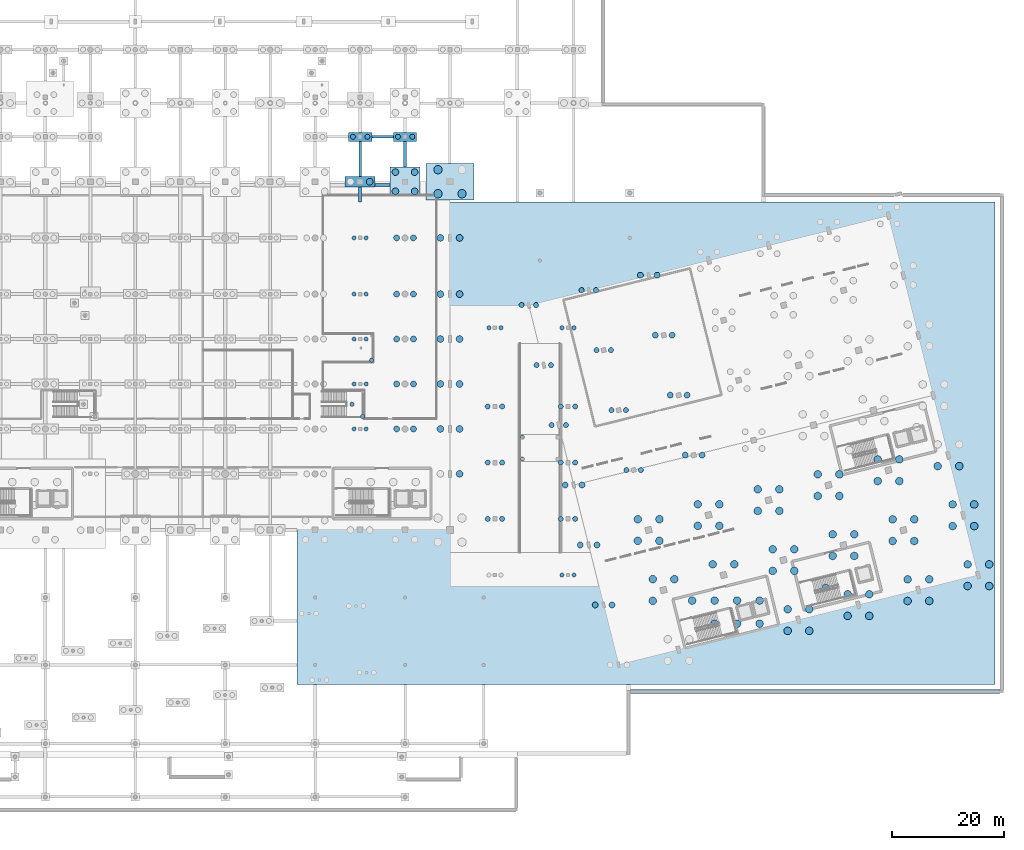
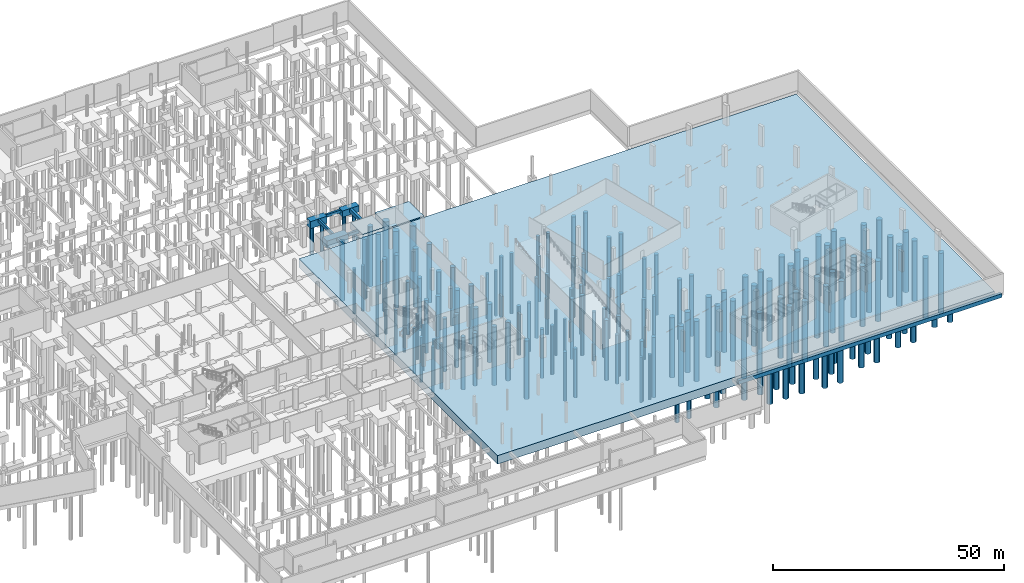
# One storey, part 10 of 65: 161 piles, 12 footings.
"""IFC4 building model written with IfcOpenShell, lengths in metres."""

from ifc_helpers import new_model, si_unit, direction, frame, origin, origin_2d, place, context, subcontext, project, spatial, rectangle, circle, extrude, material, material_profile, profile_set, type_object, element, save


model = new_model("IFC4")

# Units and contexts
model_context = context("Model", 3, precision=1e-05, world=origin(), true_north=direction((0.0, 1.0)))
body_context = subcontext(model_context, "Body", "Model", "MODEL_VIEW")
ifc_project = project(units=[si_unit("LENGTHUNIT", "METRE"), si_unit("AREAUNIT", "SQUARE_METRE"), si_unit("VOLUMEUNIT", "CUBIC_METRE"), si_unit("PLANEANGLEUNIT", "RADIAN"), si_unit("MASSUNIT", "GRAM", prefix="KILO")], contexts=[model_context])

# Site, building, storey
site_placement = place(None, origin())
site = spatial("IfcSite", under=ifc_project, at=site_placement, CompositionType="ELEMENT")
building_placement = place(site_placement, origin())
building = spatial("IfcBuilding", under=site, at=building_placement, Name="Khorjan Park Terminus", CompositionType="ELEMENT")
storey_placement = place(building_placement, frame((0.0, 0.0, -5.4)))
storey = spatial("IfcBuildingStorey", under=building, at=storey_placement, Name="B1", CompositionType="ELEMENT", Elevation=-5.4)

# Footings
ifc_material = material(Name="Concrete C40/50", Category="concrete")
ifc_material_profile_1 = material_profile(ifc_material, rectangle(XDim=0.45, YDim=0.75, at=origin_2d()), Name="RC 450x750")
ifc_profile_set_1 = profile_set([ifc_material_profile_1], Name="Concrete C40/50")
footing_type_1 = type_object("IfcFootingType", Name="FTG-GB-450x750", PredefinedType="FOOTING_BEAM", material=ifc_profile_set_1)
footing_1_placement = place(storey_placement, frame((122.082, 96.0, -0.375), z_axis=(1.0, 0.0, 0.0), x_axis=(0.0, 1.0, 0.0)))
element("IfcFooting", 1, at=footing_1_placement, inside=storey, type_object=footing_type_1, Name="Reinforced concrete ground tie beam FB-07 (89)", PredefinedType="FOOTING_BEAM", context=body_context, shape_type="SweptSolid", body=[
    extrude(rectangle(XDim=0.45, YDim=0.75, at=origin_2d()), origin(), (0.0, 0.0, 1.0), 3.836),
])
footing_2_placement = place(storey_placement, frame((120.0, 88.95, -0.375), z_axis=(0.0, 1.0, 0.0), x_axis=(-1.0, 0.0, 0.0)))
element("IfcFooting", 2, at=footing_2_placement, inside=storey, type_object=footing_type_1, Name="Reinforced concrete ground tie beam FB-07 (347)", PredefinedType="FOOTING_BEAM", context=body_context, shape_type="SweptSolid", body=[
    extrude(rectangle(XDim=0.45, YDim=0.75, at=origin_2d()), origin(), (0.0, 0.0, 1.0), 6.25),
])
ifc_material_profile_2 = material_profile(ifc_material, rectangle(XDim=0.5, YDim=0.8, at=origin_2d()), Name="RC 500x800")
ifc_profile_set_2 = profile_set([ifc_material_profile_2], Name="Concrete C40/50")
footing_type_2 = type_object("IfcFootingType", Name="FTG-GB-500x800", PredefinedType="FOOTING_BEAM", material=ifc_profile_set_2)
footing_3_placement = place(storey_placement, frame((122.66, 87.4, -0.4), z_axis=(1.0, 0.0, 0.0), x_axis=(0.0, 1.0, 0.0)))
element("IfcFooting", 3, at=footing_3_placement, inside=storey, type_object=footing_type_2, Name="Reinforced concrete ground tie beam FB-08 (85)", PredefinedType="FOOTING_BEAM", context=body_context, shape_type="SweptSolid", body=[
    extrude(rectangle(XDim=0.5, YDim=0.8, at=origin_2d()), origin(), (0.0, 0.0, 1.0), 2.68),
])
footing_4_placement = place(storey_placement, frame((120.0, 84.377, -0.4), z_axis=(0.0, 1.0, 0.0), x_axis=(-1.0, 0.0, 0.0)))
element("IfcFooting", 4, at=footing_4_placement, inside=storey, type_object=footing_type_2, Name="Reinforced concrete ground tie beam FB-08 (346)", PredefinedType="FOOTING_BEAM", context=body_context, shape_type="SweptSolid", body=[
    extrude(rectangle(XDim=0.5, YDim=0.8, at=origin_2d()), origin(), (0.0, 0.0, 1.0), 2.673),
])
ifc_material_profile_3 = material_profile(ifc_material, rectangle(XDim=0.6, YDim=0.9, at=origin_2d()), Name="RC 600x900")
ifc_profile_set_3 = profile_set([ifc_material_profile_3], Name="Concrete C40/50")
footing_type_3 = type_object("IfcFootingType", Name="FTG-GB-600x900", PredefinedType="FOOTING_BEAM", material=ifc_profile_set_3)
footing_5_placement = place(storey_placement, frame((128.0, 90.66, -0.45), z_axis=(0.0, 1.0, 0.0), x_axis=(-1.0, 0.0, 0.0)))
element("IfcFooting", 5, at=footing_5_placement, inside=storey, type_object=footing_type_3, Name="Reinforced concrete ground tie beam FB-09 (354)", PredefinedType="FOOTING_BEAM", context=body_context, shape_type="SweptSolid", body=[
    extrude(rectangle(XDim=0.6, YDim=0.9, at=origin_2d()), origin(), (0.0, 0.0, 1.0), 4.54),
])
footing_type_4 = type_object("IfcFootingType", Name="FTG-PC-07", PredefinedType="PILE_CAP", material=ifc_material)
footing_6_placement = place(storey_placement, frame((128.0005, 96.0, -1.66), z_axis=(0.0, 0.0, 1.0), x_axis=(1.0, 0.0, 0.0)))
element("IfcFooting", 6, at=footing_6_placement, inside=storey, type_object=footing_type_4, Name="Reinforced concrete pile cap PC-07 (241)", PredefinedType="PILE_CAP", context=body_context, shape_type="SweptSolid", body=[
    extrude(rectangle(XDim=4.165, YDim=1.6, at=origin_2d()), origin(), (0.0, 0.0, 1.0), 1.66),
])
footing_type_5 = type_object("IfcFootingType", Name="FTG-PC-11", PredefinedType="PILE_CAP", material=ifc_material)
footing_7_placement = place(storey_placement, frame((120.0, 96.0, -1.84), z_axis=(0.0, 0.0, 1.0), x_axis=(1.0, 0.0, 0.0)))
element("IfcFooting", 7, at=footing_7_placement, inside=storey, type_object=footing_type_5, Name="Reinforced concrete pile cap PC-11 (234)", PredefinedType="PILE_CAP", context=body_context, shape_type="SweptSolid", body=[
    extrude(rectangle(XDim=4.164, YDim=1.6, at=origin_2d()), origin(), (0.0, 0.0, 1.0), 1.84),
])
footing_type_6 = type_object("IfcFootingType", Name="FTG-PC-49", PredefinedType="PILE_CAP", material=ifc_material)
footing_8_placement = place(storey_placement, frame((120.0, 88.0, -2.02), z_axis=(0.0, 0.0, 1.0), x_axis=(1.0, 0.0, 0.0)))
element("IfcFooting", 8, at=footing_8_placement, inside=storey, type_object=footing_type_6, Name="Reinforced concrete pile cap PC-49 (232)", PredefinedType="PILE_CAP", context=body_context, shape_type="SweptSolid", body=[
    extrude(rectangle(XDim=5.32, YDim=1.9, at=origin_2d()), origin(), (0.0, 0.0, 1.0), 2.02),
])
footing_type_7 = type_object("IfcFootingType", Name="FTG-PC-50", PredefinedType="PILE_CAP", material=ifc_material)
footing_9_placement = place(storey_placement, frame((170.8985, 41.4425, -2.24), z_axis=(0.0, 0.0, 1.0), x_axis=(1.0, 0.0, 0.0)))
element("IfcFooting", 9, at=footing_9_placement, inside=storey, type_object=footing_type_7, Name="Reinforced concrete pile cap PC-50 (214)", PredefinedType="PILE_CAP", context=body_context, shape_type="SweptSolid", body=[
    extrude(rectangle(XDim=124.181, YDim=85.869, at=origin_2d()), origin(), (0.0, 0.0, 1.0), 2.24),
])
footing_type_8 = type_object("IfcFootingType", Name="FTG-PC-55", PredefinedType="PILE_CAP", material=ifc_material)
footing_10_placement = place(storey_placement, frame((136.0, 88.0, -2.14), z_axis=(0.0, 0.0, 1.0), x_axis=(1.0, 0.0, 0.0)))
element("IfcFooting", 10, at=footing_10_placement, inside=storey, type_object=footing_type_8, Name="Reinforced concrete pile cap PC-55 (249)", PredefinedType="PILE_CAP", context=body_context, shape_type="SweptSolid", body=[
    extrude(rectangle(XDim=8.546, YDim=6.474, at=origin_2d()), origin(), (0.0, 0.0, 1.0), 2.14),
])
footing_type_9 = type_object("IfcFootingType", Name="FTG-PC-57", PredefinedType="PILE_CAP", material=ifc_material)
footing_11_placement = place(storey_placement, frame((128.0, 88.0, -1.84), z_axis=(0.0, 0.0, 1.0), x_axis=(1.0, 0.0, 0.0)))
element("IfcFooting", 11, at=footing_11_placement, inside=storey, type_object=footing_type_9, Name="Reinforced concrete pile cap PC-57 (239)", PredefinedType="PILE_CAP", context=body_context, shape_type="SweptSolid", body=[
    extrude(rectangle(XDim=5.32, YDim=5.32, at=origin_2d()), origin(), (0.0, 0.0, 1.0), 1.84),
])
ifc_material_profile_4 = material_profile(ifc_material, rectangle(XDim=0.7, YDim=1.0, at=origin_2d()), Name="RC 700x1000")
ifc_profile_set_4 = profile_set([ifc_material_profile_4], Name="Concrete C40/50")
footing_type_10 = type_object("IfcFootingType", Name="FTG-SF-700x1000", PredefinedType="STRIP_FOOTING", material=ifc_profile_set_4)
footing_12_placement = place(storey_placement, frame((233.896, -2.752, -0.5), z_axis=(-1.0, 0.0, 0.0), x_axis=(0.0, -1.0, 0.0)))
element("IfcFooting", 12, at=footing_12_placement, inside=storey, type_object=footing_type_10, Name="Reinforced concrete wall strip footing SF-07 (44)", PredefinedType="STRIP_FOOTING", context=body_context, shape_type="SweptSolid", body=[
    extrude(rectangle(XDim=0.7, YDim=1.0, at=origin_2d()), origin(), (0.0, 0.0, 1.0), 65.783),
])

# Piles
ifc_material_profile_5 = material_profile(ifc_material, circle(Radius=0.525, at=origin_2d()), Name="BORED D1050")
ifc_profile_set_5 = profile_set([ifc_material_profile_5], Name="Concrete C40/50")
pile_type_1 = type_object("IfcPileType", Name="PL-D1050", PredefinedType="BORED", material=ifc_profile_set_5)
for number, where, z_axis, x_axis, name in (
    (13, (161.8425, 12.673, -2.14), (0.0, 0.0, -1.0), (1.0, 0.0, 0.0), "Bored rock-socketed pile PL-105 (615)"),
    (14, (164.8355, 12.673, -2.14), (0.0, 0.0, -1.0), (1.0, 0.0, 0.0), "Bored rock-socketed pile PL-105 (616)"),
    (15, (159.1815, 23.346, -2.14), (0.0, 0.0, -1.0), (1.0, 0.0, 0.0), "Bored rock-socketed pile PL-105 (617)"),
    (16, (162.1745, 23.346, -2.14), (0.0, 0.0, -1.0), (1.0, 0.0, 0.0), "Bored rock-socketed pile PL-105 (618)"),
    (17, (156.5205, 34.02, -2.14), (0.0, 0.0, -1.0), (1.0, 0.0, 0.0), "Bored rock-socketed pile PL-105 (619)"),
    (18, (159.5135, 34.02, -2.14), (0.0, 0.0, -1.0), (1.0, 0.0, 0.0), "Bored rock-socketed pile PL-105 (620)"),
    (19, (177.8665, 39.342, -2.14), (0.0, 0.0, -1.0), (1.0, 0.0, 0.0), "Bored rock-socketed pile PL-105 (621)"),
    (20, (180.8595, 39.342, -2.14), (0.0, 0.0, -1.0), (1.0, 0.0, 0.0), "Bored rock-socketed pile PL-105 (622)"),
    (21, (175.2055, 50.015, -2.14), (0.0, 0.0, -1.0), (1.0, 0.0, 0.0), "Bored rock-socketed pile PL-105 (627)"),
    (22, (178.1985, 50.015, -2.14), (0.0, 0.0, -1.0), (1.0, 0.0, 0.0), "Bored rock-socketed pile PL-105 (628)"),
    (23, (172.5445, 60.688, -2.14), (0.0, 0.0, -1.0), (1.0, 0.0, 0.0), "Bored rock-socketed pile PL-105 (633)"),
    (24, (175.5375, 60.688, -2.14), (0.0, 0.0, -1.0), (1.0, 0.0, 0.0), "Bored rock-socketed pile PL-105 (634)"),
):
    element("IfcPile", number, at=place(storey_placement, frame(where, z_axis=z_axis, x_axis=x_axis)), inside=storey, type_object=pile_type_1, Name=name, PredefinedType="BORED", context=body_context, shape_type="SweptSolid", body=[
        extrude(circle(Radius=0.525, at=origin_2d()), origin(), (0.0, 0.0, 1.0), 15.96),
    ])
for number, where, z_axis, x_axis, name in (
    (25, (126.5035, 44.0, -2.14), (0.0, 0.0, -1.0), (1.0, 0.0, 0.0), "Bored rock-socketed pile PL-105 (647)"),
    (26, (129.4965, 44.0, -2.14), (0.0, 0.0, -1.0), (1.0, 0.0, 0.0), "Bored rock-socketed pile PL-105 (648)"),
    (27, (126.5035, 52.0, -2.14), (0.0, 0.0, -1.0), (1.0, 0.0, 0.0), "Bored rock-socketed pile PL-105 (649)"),
    (28, (129.4965, 52.0, -2.14), (0.0, 0.0, -1.0), (1.0, 0.0, 0.0), "Bored rock-socketed pile PL-105 (650)"),
    (29, (126.5035, 60.0, -2.14), (0.0, 0.0, -1.0), (1.0, 0.0, 0.0), "Bored rock-socketed pile PL-105 (651)"),
    (30, (129.4965, 60.0, -2.14), (0.0, 0.0, -1.0), (1.0, 0.0, 0.0), "Bored rock-socketed pile PL-105 (652)"),
    (31, (126.5035, 68.0, -2.14), (0.0, 0.0, -1.0), (1.0, 0.0, 0.0), "Bored rock-socketed pile PL-105 (653)"),
    (32, (129.4965, 68.0, -2.14), (0.0, 0.0, -1.0), (1.0, 0.0, 0.0), "Bored rock-socketed pile PL-105 (654)"),
):
    element("IfcPile", number, at=place(storey_placement, frame(where, z_axis=z_axis, x_axis=x_axis)), inside=storey, type_object=pile_type_1, Name=name, PredefinedType="BORED", context=body_context, shape_type="SweptSolid", body=[
        extrude(circle(Radius=0.525, at=origin_2d()), origin(), (0.0, 0.0, 1.0), 13.96),
    ])
for number, where, z_axis, x_axis, name in (
    (33, (169.8835, 71.362, -2.14), (0.0, 0.0, -1.0), (1.0, 0.0, 0.0), "Bored rock-socketed pile PL-105 (655)"),
    (34, (172.8765, 71.362, -2.14), (0.0, 0.0, -1.0), (1.0, 0.0, 0.0), "Bored rock-socketed pile PL-105 (656)"),
):
    element("IfcPile", number, at=place(storey_placement, frame(where, z_axis=z_axis, x_axis=x_axis)), inside=storey, type_object=pile_type_1, Name=name, PredefinedType="BORED", context=body_context, shape_type="SweptSolid", body=[
        extrude(circle(Radius=0.525, at=origin_2d()), origin(), (0.0, 0.0, 1.0), 15.96),
    ])
for number, where, z_axis, x_axis, name in (
    (35, (126.5035, 78.0, -2.14), (0.0, 0.0, -1.0), (1.0, 0.0, 0.0), "Bored rock-socketed pile PL-105 (667)"),
    (36, (129.4965, 78.0, -2.14), (0.0, 0.0, -1.0), (1.0, 0.0, 0.0), "Bored rock-socketed pile PL-105 (668)"),
):
    element("IfcPile", number, at=place(storey_placement, frame(where, z_axis=z_axis, x_axis=x_axis)), inside=storey, type_object=pile_type_1, Name=name, PredefinedType="BORED", context=body_context, shape_type="SweptSolid", body=[
        extrude(circle(Radius=0.525, at=origin_2d()), origin(), (0.0, 0.0, 1.0), 13.96),
    ])
ifc_material_profile_6 = material_profile(ifc_material, circle(Radius=0.6, at=origin_2d()), Name="BORED D1200")
ifc_profile_set_6 = profile_set([ifc_material_profile_6], Name="Concrete C40/50")
pile_type_2 = type_object("IfcPileType", Name="PL-D1200", PredefinedType="BORED", material=ifc_profile_set_6)
for number, where, z_axis, x_axis, name in (
    (37, (137.71, 36.0, -2.14), (0.0, 0.0, -1.0), (1.0, 0.0, 0.0), "Bored rock-socketed pile PL-120 (588)"),
    (38, (134.29, 44.0, -2.14), (0.0, 0.0, -1.0), (1.0, 0.0, 0.0), "Bored rock-socketed pile PL-120 (597)"),
    (39, (137.71, 44.0, -2.14), (0.0, 0.0, -1.0), (1.0, 0.0, 0.0), "Bored rock-socketed pile PL-120 (598)"),
    (40, (134.29, 52.0, -2.14), (0.0, 0.0, -1.0), (1.0, 0.0, 0.0), "Bored rock-socketed pile PL-120 (599)"),
    (41, (137.71, 52.0, -2.14), (0.0, 0.0, -1.0), (1.0, 0.0, 0.0), "Bored rock-socketed pile PL-120 (600)"),
    (42, (134.29, 60.0, -2.14), (0.0, 0.0, -1.0), (1.0, 0.0, 0.0), "Bored rock-socketed pile PL-120 (601)"),
    (43, (137.71, 60.0, -2.14), (0.0, 0.0, -1.0), (1.0, 0.0, 0.0), "Bored rock-socketed pile PL-120 (602)"),
    (44, (134.29, 68.0, -2.14), (0.0, 0.0, -1.0), (1.0, 0.0, 0.0), "Bored rock-socketed pile PL-120 (603)"),
    (45, (137.71, 68.0, -2.14), (0.0, 0.0, -1.0), (1.0, 0.0, 0.0), "Bored rock-socketed pile PL-120 (604)"),
    (46, (134.29, 78.0, -2.14), (0.0, 0.0, -1.0), (1.0, 0.0, 0.0), "Bored rock-socketed pile PL-120 (605)"),
    (47, (137.71, 78.0, -2.14), (0.0, 0.0, -1.0), (1.0, 0.0, 0.0), "Bored rock-socketed pile PL-120 (606)"),
):
    element("IfcPile", number, at=place(storey_placement, frame(where, z_axis=z_axis, x_axis=x_axis)), inside=storey, type_object=pile_type_2, Name=name, PredefinedType="BORED", context=body_context, shape_type="SweptSolid", body=[
        extrude(circle(Radius=0.6, at=origin_2d()), origin(), (0.0, 0.0, 1.0), 15.46),
    ])
pile_1_placement = place(storey_placement, frame((121.71, 88.0, -1.92), z_axis=(0.0, 0.0, -1.0), x_axis=(1.0, 0.0, 0.0)))
element("IfcPile", 48, at=pile_1_placement, inside=storey, type_object=pile_type_2, Name="Bored rock-socketed pile PL-120 (774)", PredefinedType="BORED", context=body_context, shape_type="SweptSolid", body=[
    extrude(circle(Radius=0.6, at=origin_2d()), origin(), (0.0, 0.0, 1.0), 15.68),
])
for number, where, z_axis, x_axis, name in (
    (49, (126.29, 86.29, -1.74), (0.0, 0.0, -1.0), (1.0, 0.0, 0.0), "Bored rock-socketed pile PL-120 (793)"),
    (50, (126.29, 89.71, -1.74), (0.0, 0.0, -1.0), (1.0, 0.0, 0.0), "Bored rock-socketed pile PL-120 (794)"),
    (51, (129.71, 86.29, -1.74), (0.0, 0.0, -1.0), (1.0, 0.0, 0.0), "Bored rock-socketed pile PL-120 (795)"),
    (52, (129.71, 89.71, -1.74), (0.0, 0.0, -1.0), (1.0, 0.0, 0.0), "Bored rock-socketed pile PL-120 (796)"),
):
    element("IfcPile", number, at=place(storey_placement, frame(where, z_axis=z_axis, x_axis=x_axis)), inside=storey, type_object=pile_type_2, Name=name, PredefinedType="BORED", context=body_context, shape_type="SweptSolid", body=[
        extrude(circle(Radius=0.6, at=origin_2d()), origin(), (0.0, 0.0, 1.0), 15.86),
    ])
ifc_material_profile_7 = material_profile(ifc_material, circle(Radius=0.675, at=origin_2d()), Name="BORED D1350")
ifc_profile_set_7 = profile_set([ifc_material_profile_7], Name="Concrete C40/50")
pile_type_3 = type_object("IfcPileType", Name="PL-D1350", PredefinedType="BORED", material=ifc_profile_set_7)
for number, where, z_axis, x_axis, name in (
    (53, (179.094, 13.448, -2.14), (0.0, 0.0, -1.0), (1.0, 0.0, 0.0), "Bored rock-socketed pile PL-135 (484)"),
    (54, (183.094, 9.348, -2.14), (0.0, 0.0, -1.0), (1.0, 0.0, 0.0), "Bored rock-socketed pile PL-135 (485)"),
    (55, (183.094, 13.448, -2.14), (0.0, 0.0, -1.0), (1.0, 0.0, 0.0), "Bored rock-socketed pile PL-135 (486)"),
    (56, (187.094, 9.348, -2.14), (0.0, 0.0, -1.0), (1.0, 0.0, 0.0), "Bored rock-socketed pile PL-135 (487)"),
    (57, (187.094, 13.448, -2.14), (0.0, 0.0, -1.0), (1.0, 0.0, 0.0), "Bored rock-socketed pile PL-135 (488)"),
    (58, (191.094, 9.348, -2.14), (0.0, 0.0, -1.0), (1.0, 0.0, 0.0), "Bored rock-socketed pile PL-135 (489)"),
    (59, (191.094, 13.448, -2.14), (0.0, 0.0, -1.0), (1.0, 0.0, 0.0), "Bored rock-socketed pile PL-135 (490)"),
):
    element("IfcPile", number, at=place(storey_placement, frame(where, z_axis=z_axis, x_axis=x_axis)), inside=storey, type_object=pile_type_3, Name=name, PredefinedType="BORED", context=body_context, shape_type="SweptSolid", body=[
        extrude(circle(Radius=0.675, at=origin_2d()), origin(), (0.0, 0.0, 1.0), 16.46),
    ])
for number, where, z_axis, x_axis, name in (
    (60, (172.088, 13.41, -2.14), (0.0, 0.0, -1.0), (1.0, 0.0, 0.0), "Bored rock-socketed pile PL-135 (491)"),
    (61, (172.088, 17.258, -2.14), (0.0, 0.0, -1.0), (1.0, 0.0, 0.0), "Bored rock-socketed pile PL-135 (492)"),
    (62, (175.936, 17.258, -2.14), (0.0, 0.0, -1.0), (1.0, 0.0, 0.0), "Bored rock-socketed pile PL-135 (493)"),
    (63, (182.761, 19.919, -2.14), (0.0, 0.0, -1.0), (1.0, 0.0, 0.0), "Bored rock-socketed pile PL-135 (494)"),
    (64, (186.609, 19.919, -2.14), (0.0, 0.0, -1.0), (1.0, 0.0, 0.0), "Bored rock-socketed pile PL-135 (495)"),
    (65, (196.096, 8.059, -2.14), (0.0, 0.0, -1.0), (1.0, 0.0, 0.0), "Bored rock-socketed pile PL-135 (496)"),
    (66, (196.096, 11.907, -2.14), (0.0, 0.0, -1.0), (1.0, 0.0, 0.0), "Bored rock-socketed pile PL-135 (497)"),
    (67, (199.944, 8.059, -2.14), (0.0, 0.0, -1.0), (1.0, 0.0, 0.0), "Bored rock-socketed pile PL-135 (498)"),
    (68, (199.944, 11.907, -2.14), (0.0, 0.0, -1.0), (1.0, 0.0, 0.0), "Bored rock-socketed pile PL-135 (499)"),
    (69, (193.435, 18.733, -2.14), (0.0, 0.0, -1.0), (1.0, 0.0, 0.0), "Bored rock-socketed pile PL-135 (500)"),
    (70, (193.435, 22.581, -2.14), (0.0, 0.0, -1.0), (1.0, 0.0, 0.0), "Bored rock-socketed pile PL-135 (501)"),
    (71, (197.283, 18.733, -2.14), (0.0, 0.0, -1.0), (1.0, 0.0, 0.0), "Bored rock-socketed pile PL-135 (502)"),
    (72, (197.283, 22.581, -2.14), (0.0, 0.0, -1.0), (1.0, 0.0, 0.0), "Bored rock-socketed pile PL-135 (503)"),
    (73, (169.427, 24.084, -2.14), (0.0, 0.0, -1.0), (1.0, 0.0, 0.0), "Bored rock-socketed pile PL-135 (504)"),
    (74, (169.427, 27.932, -2.14), (0.0, 0.0, -1.0), (1.0, 0.0, 0.0), "Bored rock-socketed pile PL-135 (505)"),
    (75, (173.275, 24.084, -2.14), (0.0, 0.0, -1.0), (1.0, 0.0, 0.0), "Bored rock-socketed pile PL-135 (506)"),
    (76, (173.275, 27.932, -2.14), (0.0, 0.0, -1.0), (1.0, 0.0, 0.0), "Bored rock-socketed pile PL-135 (507)"),
    (77, (180.1, 26.745, -2.14), (0.0, 0.0, -1.0), (1.0, 0.0, 0.0), "Bored rock-socketed pile PL-135 (508)"),
    (78, (180.1, 30.593, -2.14), (0.0, 0.0, -1.0), (1.0, 0.0, 0.0), "Bored rock-socketed pile PL-135 (509)"),
    (79, (183.948, 26.745, -2.14), (0.0, 0.0, -1.0), (1.0, 0.0, 0.0), "Bored rock-socketed pile PL-135 (510)"),
    (80, (183.948, 30.593, -2.14), (0.0, 0.0, -1.0), (1.0, 0.0, 0.0), "Bored rock-socketed pile PL-135 (511)"),
    (81, (190.773, 29.406, -2.14), (0.0, 0.0, -1.0), (1.0, 0.0, 0.0), "Bored rock-socketed pile PL-135 (512)"),
    (82, (190.773, 33.254, -2.14), (0.0, 0.0, -1.0), (1.0, 0.0, 0.0), "Bored rock-socketed pile PL-135 (513)"),
    (83, (194.621, 29.406, -2.14), (0.0, 0.0, -1.0), (1.0, 0.0, 0.0), "Bored rock-socketed pile PL-135 (514)"),
    (84, (194.621, 33.254, -2.14), (0.0, 0.0, -1.0), (1.0, 0.0, 0.0), "Bored rock-socketed pile PL-135 (515)"),
    (85, (201.447, 32.067, -2.14), (0.0, 0.0, -1.0), (1.0, 0.0, 0.0), "Bored rock-socketed pile PL-135 (516)"),
    (86, (201.447, 35.915, -2.14), (0.0, 0.0, -1.0), (1.0, 0.0, 0.0), "Bored rock-socketed pile PL-135 (517)"),
    (87, (205.295, 32.067, -2.14), (0.0, 0.0, -1.0), (1.0, 0.0, 0.0), "Bored rock-socketed pile PL-135 (518)"),
    (88, (205.295, 35.915, -2.14), (0.0, 0.0, -1.0), (1.0, 0.0, 0.0), "Bored rock-socketed pile PL-135 (519)"),
    (89, (206.769, 10.721, -2.14), (0.0, 0.0, -1.0), (1.0, 0.0, 0.0), "Bored rock-socketed pile PL-135 (520)"),
    (90, (206.769, 14.569, -2.14), (0.0, 0.0, -1.0), (1.0, 0.0, 0.0), "Bored rock-socketed pile PL-135 (521)"),
    (91, (210.617, 10.721, -2.14), (0.0, 0.0, -1.0), (1.0, 0.0, 0.0), "Bored rock-socketed pile PL-135 (522)"),
    (92, (210.617, 14.569, -2.14), (0.0, 0.0, -1.0), (1.0, 0.0, 0.0), "Bored rock-socketed pile PL-135 (523)"),
    (93, (204.108, 21.394, -2.14), (0.0, 0.0, -1.0), (1.0, 0.0, 0.0), "Bored rock-socketed pile PL-135 (524)"),
    (94, (204.108, 25.242, -2.14), (0.0, 0.0, -1.0), (1.0, 0.0, 0.0), "Bored rock-socketed pile PL-135 (525)"),
    (95, (207.956, 21.394, -2.14), (0.0, 0.0, -1.0), (1.0, 0.0, 0.0), "Bored rock-socketed pile PL-135 (526)"),
    (96, (207.956, 25.242, -2.14), (0.0, 0.0, -1.0), (1.0, 0.0, 0.0), "Bored rock-socketed pile PL-135 (527)"),
    (97, (212.12, 34.728, -2.14), (0.0, 0.0, -1.0), (1.0, 0.0, 0.0), "Bored rock-socketed pile PL-135 (532)"),
    (98, (212.12, 38.576, -2.14), (0.0, 0.0, -1.0), (1.0, 0.0, 0.0), "Bored rock-socketed pile PL-135 (533)"),
    (99, (215.968, 34.728, -2.14), (0.0, 0.0, -1.0), (1.0, 0.0, 0.0), "Bored rock-socketed pile PL-135 (534)"),
    (100, (215.968, 38.576, -2.14), (0.0, 0.0, -1.0), (1.0, 0.0, 0.0), "Bored rock-socketed pile PL-135 (535)"),
    (101, (217.442, 13.382, -2.14), (0.0, 0.0, -1.0), (1.0, 0.0, 0.0), "Bored rock-socketed pile PL-135 (536)"),
    (102, (217.442, 17.23, -2.14), (0.0, 0.0, -1.0), (1.0, 0.0, 0.0), "Bored rock-socketed pile PL-135 (537)"),
    (103, (221.29, 13.382, -2.14), (0.0, 0.0, -1.0), (1.0, 0.0, 0.0), "Bored rock-socketed pile PL-135 (538)"),
    (104, (221.29, 17.23, -2.14), (0.0, 0.0, -1.0), (1.0, 0.0, 0.0), "Bored rock-socketed pile PL-135 (539)"),
    (105, (214.781, 24.055, -2.14), (0.0, 0.0, -1.0), (1.0, 0.0, 0.0), "Bored rock-socketed pile PL-135 (540)"),
    (106, (214.781, 27.903, -2.14), (0.0, 0.0, -1.0), (1.0, 0.0, 0.0), "Bored rock-socketed pile PL-135 (541)"),
    (107, (218.629, 24.055, -2.14), (0.0, 0.0, -1.0), (1.0, 0.0, 0.0), "Bored rock-socketed pile PL-135 (542)"),
    (108, (218.629, 27.903, -2.14), (0.0, 0.0, -1.0), (1.0, 0.0, 0.0), "Bored rock-socketed pile PL-135 (543)"),
    (109, (222.793, 37.389, -2.14), (0.0, 0.0, -1.0), (1.0, 0.0, 0.0), "Bored rock-socketed pile PL-135 (556)"),
    (110, (226.641, 37.389, -2.14), (0.0, 0.0, -1.0), (1.0, 0.0, 0.0), "Bored rock-socketed pile PL-135 (558)"),
    (111, (228.116, 16.043, -2.14), (0.0, 0.0, -1.0), (1.0, 0.0, 0.0), "Bored rock-socketed pile PL-135 (560)"),
    (112, (228.116, 19.891, -2.14), (0.0, 0.0, -1.0), (1.0, 0.0, 0.0), "Bored rock-socketed pile PL-135 (561)"),
    (113, (231.964, 16.043, -2.14), (0.0, 0.0, -1.0), (1.0, 0.0, 0.0), "Bored rock-socketed pile PL-135 (562)"),
    (114, (231.964, 19.891, -2.14), (0.0, 0.0, -1.0), (1.0, 0.0, 0.0), "Bored rock-socketed pile PL-135 (563)"),
    (115, (225.454, 26.716, -2.14), (0.0, 0.0, -1.0), (1.0, 0.0, 0.0), "Bored rock-socketed pile PL-135 (564)"),
    (116, (225.454, 30.564, -2.14), (0.0, 0.0, -1.0), (1.0, 0.0, 0.0), "Bored rock-socketed pile PL-135 (565)"),
    (117, (229.302, 26.716, -2.14), (0.0, 0.0, -1.0), (1.0, 0.0, 0.0), "Bored rock-socketed pile PL-135 (566)"),
    (118, (229.302, 30.564, -2.14), (0.0, 0.0, -1.0), (1.0, 0.0, 0.0), "Bored rock-socketed pile PL-135 (567)"),
):
    element("IfcPile", number, at=place(storey_placement, frame(where, z_axis=z_axis, x_axis=x_axis)), inside=storey, type_object=pile_type_3, Name=name, PredefinedType="BORED", context=body_context, shape_type="SweptSolid", body=[
        extrude(circle(Radius=0.675, at=origin_2d()), origin(), (0.0, 0.0, 1.0), 15.96),
    ])
pile_2_placement = place(storey_placement, frame((202.84, 15.715, -2.14), z_axis=(0.0, 0.0, -1.0), x_axis=(1.0, 0.0, 0.0)))
element("IfcPile", 119, at=pile_2_placement, inside=storey, type_object=pile_type_3, Name="Bored rock-socketed pile PL-135 (578)", PredefinedType="BORED", context=body_context, shape_type="SweptSolid", body=[
    extrude(circle(Radius=0.675, at=origin_2d()), origin(), (0.0, 0.0, 1.0), 16.46),
])
ifc_material_profile_8 = material_profile(ifc_material, circle(Radius=0.75, at=origin_2d()), Name="BORED D1500")
ifc_profile_set_8 = profile_set([ifc_material_profile_8], Name="Concrete C40/50")
pile_type_4 = type_object("IfcPileType", Name="PL-D1500", PredefinedType="BORED", material=ifc_profile_set_8)
for number, where, z_axis, x_axis, name in (
    (120, (133.8625, 85.8625, -2.04), (0.0, 0.0, -1.0), (1.0, 0.0, 0.0), "Bored rock-socketed pile PL-150 (813)"),
    (121, (133.8625, 90.1375, -2.04), (0.0, 0.0, -1.0), (1.0, 0.0, 0.0), "Bored rock-socketed pile PL-150 (814)"),
    (122, (138.1375, 85.8625, -2.04), (0.0, 0.0, -1.0), (1.0, 0.0, 0.0), "Bored rock-socketed pile PL-150 (815)"),
):
    element("IfcPile", number, at=place(storey_placement, frame(where, z_axis=z_axis, x_axis=x_axis)), inside=storey, type_object=pile_type_4, Name=name, PredefinedType="BORED", context=body_context, shape_type="SweptSolid", body=[
        extrude(circle(Radius=0.75, at=origin_2d()), origin(), (0.0, 0.0, 1.0), 16.56),
    ])
ifc_material_profile_9 = material_profile(ifc_material, circle(Radius=0.375, at=origin_2d()), Name="BORED D750")
ifc_profile_set_9 = profile_set([ifc_material_profile_9], Name="Concrete C40/50")
pile_type_5 = type_object("IfcPileType", Name="PL-D750", PredefinedType="BORED", material=ifc_profile_set_9)
for number, where, z_axis, x_axis, name in (
    (123, (148.85, 38.65, -2.14), (0.0, 0.0, -1.0), (1.0, 0.0, 0.0), "Bored rock-socketed pile PL-75 (711)"),
    (124, (148.85, 42.55, -2.14), (0.0, 0.0, -1.0), (1.0, 0.0, 0.0), "Bored rock-socketed pile PL-75 (712)"),
    (125, (118.931, 44.0, -2.14), (0.0, 0.0, -1.0), (1.0, 0.0, 0.0), "Bored rock-socketed pile PL-75 (713)"),
    (126, (121.069, 44.0, -2.14), (0.0, 0.0, -1.0), (1.0, 0.0, 0.0), "Bored rock-socketed pile PL-75 (714)"),
    (127, (118.931, 52.0, -2.14), (0.0, 0.0, -1.0), (1.0, 0.0, 0.0), "Bored rock-socketed pile PL-75 (715)"),
    (128, (121.069, 52.0, -2.14), (0.0, 0.0, -1.0), (1.0, 0.0, 0.0), "Bored rock-socketed pile PL-75 (716)"),
    (129, (118.931, 60.0, -2.14), (0.0, 0.0, -1.0), (1.0, 0.0, 0.0), "Bored rock-socketed pile PL-75 (717)"),
    (130, (121.069, 60.0, -2.14), (0.0, 0.0, -1.0), (1.0, 0.0, 0.0), "Bored rock-socketed pile PL-75 (718)"),
    (131, (118.931, 68.0, -2.14), (0.0, 0.0, -1.0), (1.0, 0.0, 0.0), "Bored rock-socketed pile PL-75 (719)"),
    (132, (121.069, 68.0, -2.14), (0.0, 0.0, -1.0), (1.0, 0.0, 0.0), "Bored rock-socketed pile PL-75 (720)"),
    (133, (118.931, 78.0, -2.14), (0.0, 0.0, -1.0), (1.0, 0.0, 0.0), "Bored rock-socketed pile PL-75 (721)"),
    (134, (121.069, 78.0, -2.14), (0.0, 0.0, -1.0), (1.0, 0.0, 0.0), "Bored rock-socketed pile PL-75 (722)"),
    (135, (142.931, 62.0, -2.14), (0.0, 0.0, -1.0), (1.0, 0.0, 0.0), "Bored rock-socketed pile PL-75 (725)"),
    (136, (145.069, 62.0, -2.14), (0.0, 0.0, -1.0), (1.0, 0.0, 0.0), "Bored rock-socketed pile PL-75 (726)"),
    (137, (155.931, 18.0, -2.14), (0.0, 0.0, -1.0), (1.0, 0.0, 0.0), "Bored rock-socketed pile PL-75 (727)"),
    (138, (158.069, 18.0, -2.14), (0.0, 0.0, -1.0), (1.0, 0.0, 0.0), "Bored rock-socketed pile PL-75 (728)"),
    (139, (155.931, 62.0, -2.14), (0.0, 0.0, -1.0), (1.0, 0.0, 0.0), "Bored rock-socketed pile PL-75 (729)"),
    (140, (158.069, 62.0, -2.14), (0.0, 0.0, -1.0), (1.0, 0.0, 0.0), "Bored rock-socketed pile PL-75 (730)"),
    (141, (120.45, 46.22, -2.14), (0.0, 0.0, -1.0), (1.0, 0.0, 0.0), "Bored rock-socketed pile PL-75 (739)"),
    (142, (118.55, 48.4, -2.14), (0.0, 0.0, -1.0), (1.0, 0.0, 0.0), "Bored rock-socketed pile PL-75 (740)"),
    (143, (122.05, 56.22, -2.14), (0.0, 0.0, -1.0), (1.0, 0.0, 0.0), "Bored rock-socketed pile PL-75 (741)"),
):
    element("IfcPile", number, at=place(storey_placement, frame(where, z_axis=z_axis, x_axis=x_axis)), inside=storey, type_object=pile_type_5, Name=name, PredefinedType="BORED", context=body_context, shape_type="SweptSolid", body=[
        extrude(circle(Radius=0.375, at=origin_2d()), origin(), (0.0, 0.0, 1.0), 11.96),
    ])
ifc_material_profile_10 = material_profile(ifc_material, circle(Radius=0.45, at=origin_2d()), Name="BORED D900")
ifc_profile_set_10 = profile_set([ifc_material_profile_10], Name="Concrete C40/50")
pile_type_6 = type_object("IfcPileType", Name="PL-D900", PredefinedType="BORED", material=ifc_profile_set_10)
for number, where, z_axis, x_axis, name in (
    (144, (155.7175, 38.0, -2.14), (0.0, 0.0, -1.0), (1.0, 0.0, 0.0), "Bored rock-socketed pile PL-90 (677)"),
    (145, (158.2825, 38.0, -2.14), (0.0, 0.0, -1.0), (1.0, 0.0, 0.0), "Bored rock-socketed pile PL-90 (678)"),
):
    element("IfcPile", number, at=place(storey_placement, frame(where, z_axis=z_axis, x_axis=x_axis)), inside=storey, type_object=pile_type_6, Name=name, PredefinedType="BORED", context=body_context, shape_type="SweptSolid", body=[
        extrude(circle(Radius=0.45, at=origin_2d()), origin(), (0.0, 0.0, 1.0), 12.96),
    ])
for number, where, z_axis, x_axis, name in (
    (146, (167.4075, 36.681, -2.14), (0.0, 0.0, -1.0), (1.0, 0.0, 0.0), "Bored rock-socketed pile PL-90 (679)"),
    (147, (169.9725, 36.681, -2.14), (0.0, 0.0, -1.0), (1.0, 0.0, 0.0), "Bored rock-socketed pile PL-90 (680)"),
    (148, (154.0725, 44.693, -2.14), (0.0, 0.0, -1.0), (1.0, 0.0, 0.0), "Bored rock-socketed pile PL-90 (681)"),
    (149, (156.6375, 44.693, -2.14), (0.0, 0.0, -1.0), (1.0, 0.0, 0.0), "Bored rock-socketed pile PL-90 (682)"),
    (150, (164.7465, 47.354, -2.14), (0.0, 0.0, -1.0), (1.0, 0.0, 0.0), "Bored rock-socketed pile PL-90 (683)"),
    (151, (167.3115, 47.354, -2.14), (0.0, 0.0, -1.0), (1.0, 0.0, 0.0), "Bored rock-socketed pile PL-90 (684)"),
    (152, (151.4115, 55.366, -2.14), (0.0, 0.0, -1.0), (1.0, 0.0, 0.0), "Bored rock-socketed pile PL-90 (685)"),
    (153, (153.9765, 55.366, -2.14), (0.0, 0.0, -1.0), (1.0, 0.0, 0.0), "Bored rock-socketed pile PL-90 (686)"),
    (154, (162.0855, 58.027, -2.14), (0.0, 0.0, -1.0), (1.0, 0.0, 0.0), "Bored rock-socketed pile PL-90 (687)"),
    (155, (164.6505, 58.027, -2.14), (0.0, 0.0, -1.0), (1.0, 0.0, 0.0), "Bored rock-socketed pile PL-90 (688)"),
    (156, (148.7505, 66.04, -2.14), (0.0, 0.0, -1.0), (1.0, 0.0, 0.0), "Bored rock-socketed pile PL-90 (689)"),
    (157, (151.3155, 66.04, -2.14), (0.0, 0.0, -1.0), (1.0, 0.0, 0.0), "Bored rock-socketed pile PL-90 (690)"),
    (158, (159.4235, 68.701, -2.14), (0.0, 0.0, -1.0), (1.0, 0.0, 0.0), "Bored rock-socketed pile PL-90 (691)"),
    (159, (161.9885, 68.701, -2.14), (0.0, 0.0, -1.0), (1.0, 0.0, 0.0), "Bored rock-socketed pile PL-90 (692)"),
):
    element("IfcPile", number, at=place(storey_placement, frame(where, z_axis=z_axis, x_axis=x_axis)), inside=storey, type_object=pile_type_6, Name=name, PredefinedType="BORED", context=body_context, shape_type="SweptSolid", body=[
        extrude(circle(Radius=0.45, at=origin_2d()), origin(), (0.0, 0.0, 1.0), 15.96),
    ])
for number, where, z_axis, x_axis, name in (
    (160, (142.7175, 28.0, -2.14), (0.0, 0.0, -1.0), (1.0, 0.0, 0.0), "Bored rock-socketed pile PL-90 (701)"),
    (161, (145.2825, 28.0, -2.14), (0.0, 0.0, -1.0), (1.0, 0.0, 0.0), "Bored rock-socketed pile PL-90 (702)"),
    (162, (142.7175, 38.0, -2.14), (0.0, 0.0, -1.0), (1.0, 0.0, 0.0), "Bored rock-socketed pile PL-90 (703)"),
    (163, (145.2825, 38.0, -2.14), (0.0, 0.0, -1.0), (1.0, 0.0, 0.0), "Bored rock-socketed pile PL-90 (704)"),
    (164, (142.7175, 48.0, -2.14), (0.0, 0.0, -1.0), (1.0, 0.0, 0.0), "Bored rock-socketed pile PL-90 (705)"),
    (165, (145.2825, 48.0, -2.14), (0.0, 0.0, -1.0), (1.0, 0.0, 0.0), "Bored rock-socketed pile PL-90 (706)"),
    (166, (155.7175, 28.0, -2.14), (0.0, 0.0, -1.0), (1.0, 0.0, 0.0), "Bored rock-socketed pile PL-90 (707)"),
    (167, (158.2825, 28.0, -2.14), (0.0, 0.0, -1.0), (1.0, 0.0, 0.0), "Bored rock-socketed pile PL-90 (708)"),
    (168, (155.7175, 48.0, -2.14), (0.0, 0.0, -1.0), (1.0, 0.0, 0.0), "Bored rock-socketed pile PL-90 (709)"),
    (169, (158.2825, 48.0, -2.14), (0.0, 0.0, -1.0), (1.0, 0.0, 0.0), "Bored rock-socketed pile PL-90 (710)"),
):
    element("IfcPile", number, at=place(storey_placement, frame(where, z_axis=z_axis, x_axis=x_axis)), inside=storey, type_object=pile_type_6, Name=name, PredefinedType="BORED", context=body_context, shape_type="SweptSolid", body=[
        extrude(circle(Radius=0.45, at=origin_2d()), origin(), (0.0, 0.0, 1.0), 12.96),
    ])
for number, where, z_axis, x_axis, name in (
    (170, (118.7175, 96.0, -1.74), (0.0, 0.0, -1.0), (1.0, 0.0, 0.0), "Bored rock-socketed pile PL-90 (777)"),
    (171, (121.2825, 96.0, -1.74), (0.0, 0.0, -1.0), (1.0, 0.0, 0.0), "Bored rock-socketed pile PL-90 (778)"),
):
    element("IfcPile", number, at=place(storey_placement, frame(where, z_axis=z_axis, x_axis=x_axis)), inside=storey, type_object=pile_type_6, Name=name, PredefinedType="BORED", context=body_context, shape_type="SweptSolid", body=[
        extrude(circle(Radius=0.45, at=origin_2d()), origin(), (0.0, 0.0, 1.0), 12.86),
    ])
for number, where, z_axis, x_axis, name in (
    (172, (126.7175, 96.0, -1.56), (0.0, 0.0, -1.0), (1.0, 0.0, 0.0), "Bored rock-socketed pile PL-90 (801)"),
    (173, (129.2825, 96.0, -1.56), (0.0, 0.0, -1.0), (1.0, 0.0, 0.0), "Bored rock-socketed pile PL-90 (802)"),
):
    element("IfcPile", number, at=place(storey_placement, frame(where, z_axis=z_axis, x_axis=x_axis)), inside=storey, type_object=pile_type_6, Name=name, PredefinedType="BORED", context=body_context, shape_type="SweptSolid", body=[
        extrude(circle(Radius=0.45, at=origin_2d()), origin(), (0.0, 0.0, 1.0), 13.04),
    ])

save(model, "model.ifc")
